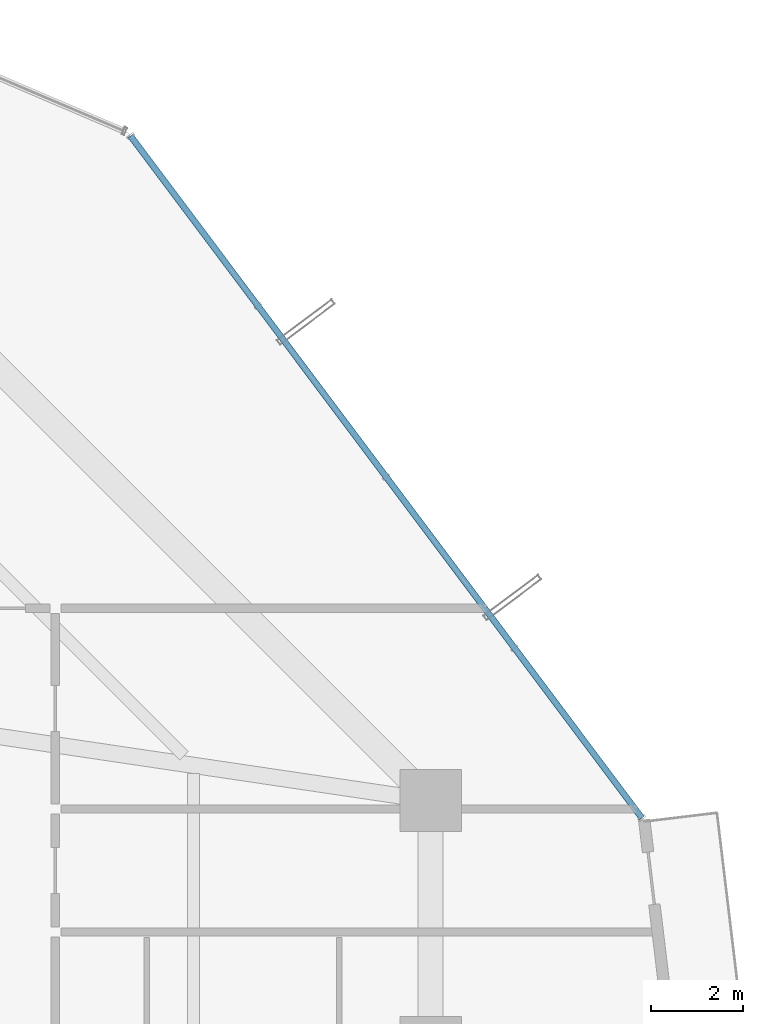
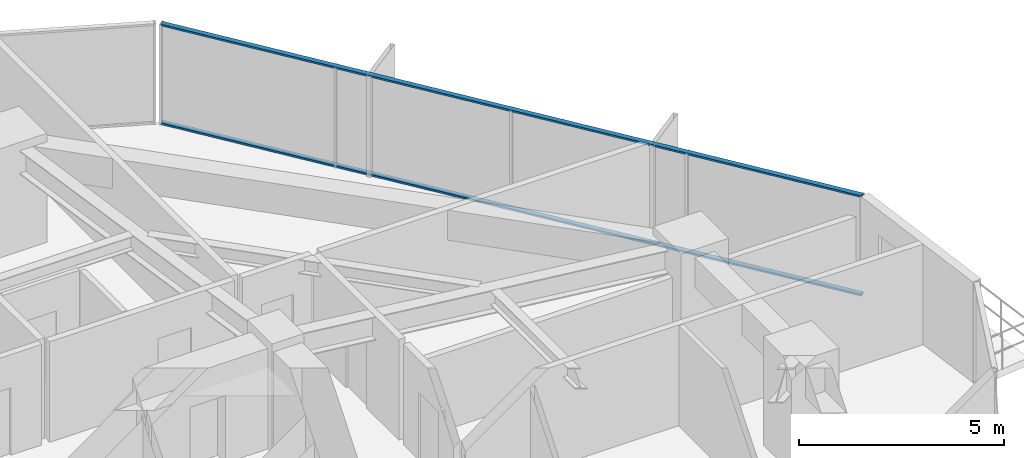
# One storey, part 30 of 37: 2 members, 1 element without a shape of its own.
"""IFC4 building model written with IfcOpenShell, lengths in metres."""

from ifc_helpers import new_model, si_unit, direction, frame, origin, origin_2d, place, context, subcontext, project, spatial, hollow_rectangle, extrude, source, transform, mapped, material, layer, layer_set, material_profile, profile_set, type_object, element, aggregate, save


model = new_model("IFC4")

# Units and contexts
model_context = context("Model", 3, precision=1e-05, world=origin(), true_north=direction((0.0, 1.0)))
body_context = subcontext(model_context, "Body", "Model", "MODEL_VIEW")
ifc_project = project(units=[si_unit("LENGTHUNIT", "METRE"), si_unit("AREAUNIT", "SQUARE_METRE"), si_unit("VOLUMEUNIT", "CUBIC_METRE"), si_unit("PLANEANGLEUNIT", "RADIAN"), si_unit("MASSUNIT", "GRAM", prefix="KILO")], contexts=[model_context])

# Site, building, storey
site_placement = place(None, origin())
site = spatial("IfcSite", under=ifc_project, at=site_placement, CompositionType="ELEMENT")
building_placement = place(site_placement, origin())
building = spatial("IfcBuilding", under=site, at=building_placement, Name="Veraguas Prism Commons", CompositionType="ELEMENT")
storey_placement = place(building_placement, frame((0.0, 0.0, 46.800048828125)))
storey = spatial("IfcBuildingStorey", under=building, at=storey_placement, Name="L12", CompositionType="ELEMENT", Elevation=46.800048828125)

# Curtain wall, members
ifc_material = material(Name="Anodised aluminium EN AW-6063 T6", Category="aluminium")
ifc_layer = layer(ifc_material, 0.169921875, Name="Unitised Flush Curtain Wall Zone 1", Category="aluminium")
ifc_layer_set = layer_set([ifc_layer], Name="Anodised aluminium EN AW-6063 T6")
curtain_wall_type = type_object("IfcCurtainWallType", Name="Unitised Flush Curtain Wall Zone 1", PredefinedType="NOTDEFINED", material=ifc_layer_set)
curtain_wall_placement = place(storey_placement, origin())
curtain_wall = element("IfcCurtainWall", 1, at=curtain_wall_placement, inside=storey, type_object=curtain_wall_type, Name="Tower Facade Curtain Wall L12-F1", PredefinedType="NOTDEFINED")
ifc_material_profile = material_profile(ifc_material, hollow_rectangle(XDim=0.054931640625, YDim=0.135009765625, WallThickness=0.0029296875, at=origin_2d()), Name="AL55X135X3")
ifc_profile_set = profile_set([ifc_material_profile], Name="Anodised aluminium EN AW-6063 T6")
member_type = type_object("IfcMemberType", Name="Curtain Wall Transom Standard AL 55x135x3", PredefinedType="USERDEFINED", material=ifc_profile_set)
shared_shape = source(origin(), body_context, "Body", "SweptSolid", [
    extrude(hollow_rectangle(XDim=0.054931640625, YDim=0.135009765625, WallThickness=0.0029296875, at=origin_2d()), origin(), (0.0, 0.0, 1.0), 18.6240234375),
])
member_1_placement = place(storey_placement, frame((46.2158203125, 29.017333984375, 0.02734375), z_axis=(-0.599863658638, 0.800102237871, 0.0), x_axis=(0.0, 0.0, 1.0)))
member_1 = element("IfcMember", 2, at=member_1_placement, type_object=member_type, Name="CW-Z1 Transom 1", ObjectType="TRANSOM", PredefinedType="USERDEFINED", context=body_context, shape_type="MappedRepresentation", body=[
    mapped(shared_shape, transform((0.0, 0.0, 0.0), scale=1.0)),
])
member_2_placement = place(storey_placement, frame((46.2158203125, 29.017333984375, 2.972412109375), z_axis=(-0.599863658638, 0.800102237871, 0.0), x_axis=(0.0, 0.0, 1.0)))
member_2 = element("IfcMember", 3, at=member_2_placement, type_object=member_type, Name="CW-Z1 Transom 2", ObjectType="TRANSOM", PredefinedType="USERDEFINED", context=body_context, shape_type="MappedRepresentation", body=[
    mapped(shared_shape, transform((0.0, 0.0, 0.0), scale=1.0)),
])
aggregate(curtain_wall, [member_1, member_2])

save(model, "model.ifc")
